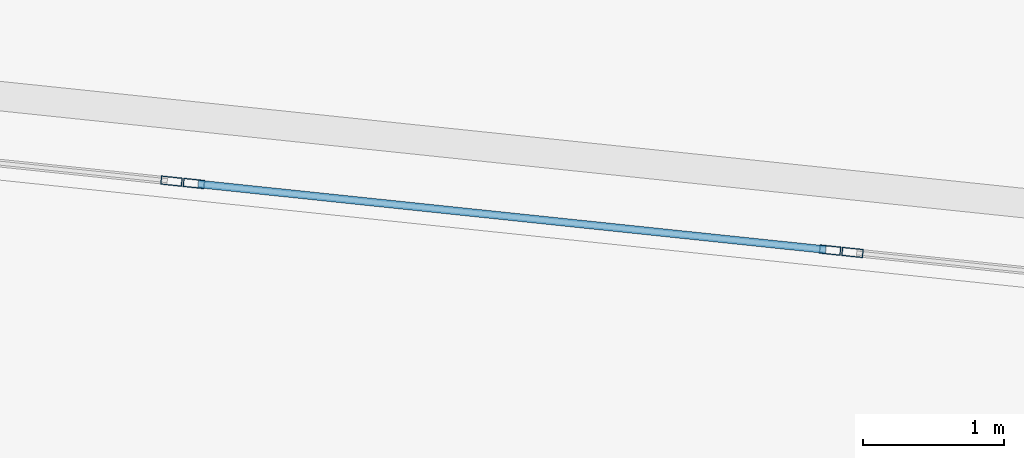
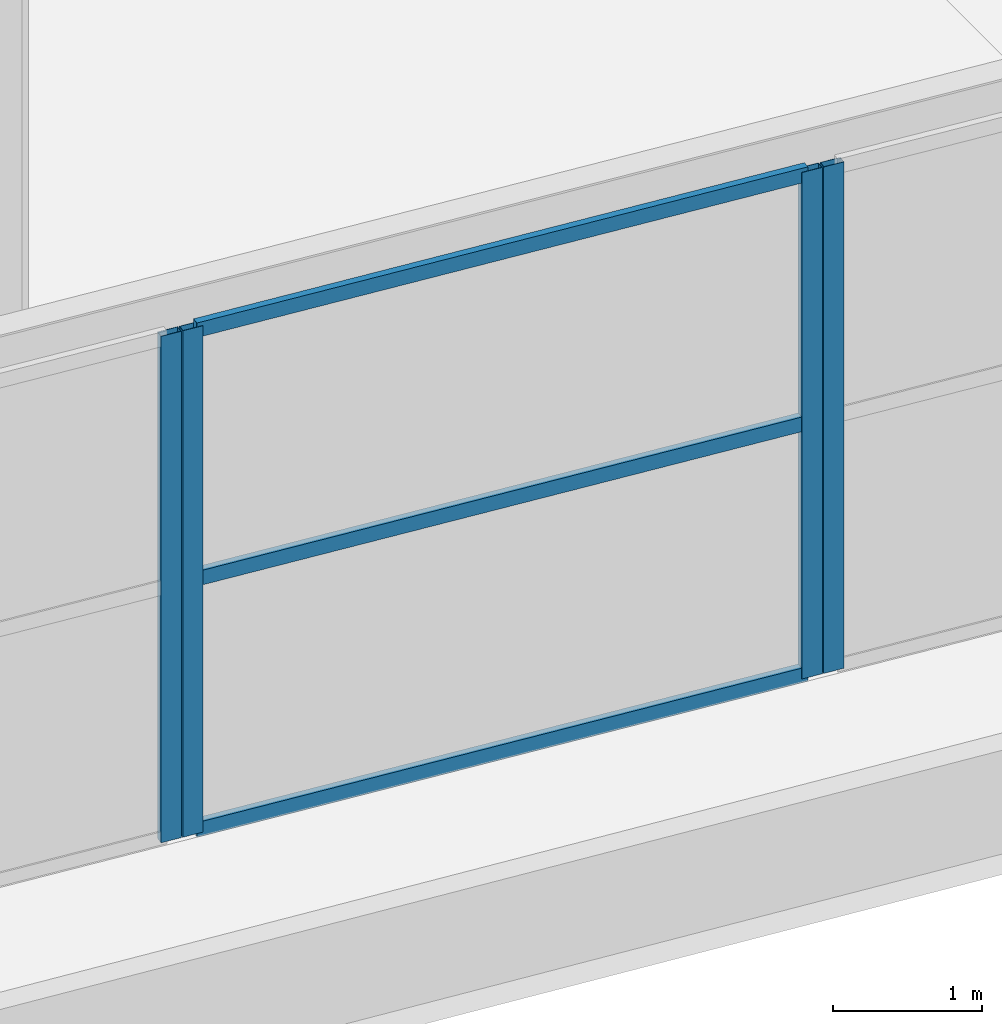
# One storey, part 35 of 126: 7 members, 3 elements without a shape of their own.
"""IFC4 building model written with IfcOpenShell, lengths in metres."""

from ifc_helpers import new_model, si_unit, direction, frame, origin, origin_2d, place, context, subcontext, project, spatial, hollow_rectangle, extrude, material, layer, layer_set, material_profile, profile_set, type_object, element, aggregate, save


model = new_model("IFC4")

# Units and contexts
model_context = context("Model", 3, precision=1e-05, world=origin(), true_north=direction((0.0, 1.0)))
body_context = subcontext(model_context, "Body", "Model", "MODEL_VIEW")
ifc_project = project(units=[si_unit("LENGTHUNIT", "METRE"), si_unit("AREAUNIT", "SQUARE_METRE"), si_unit("VOLUMEUNIT", "CUBIC_METRE"), si_unit("PLANEANGLEUNIT", "RADIAN"), si_unit("MASSUNIT", "GRAM", prefix="KILO")], contexts=[model_context])

# Site, building, storey
site_placement = place(None, origin())
site = spatial("IfcSite", under=ifc_project, at=site_placement, CompositionType="ELEMENT")
building_placement = place(site_placement, origin())
building = spatial("IfcBuilding", under=site, at=building_placement, Name="Kalgoora Escarpment Arena", CompositionType="ELEMENT")
storey_placement = place(building_placement, frame((0.0, 0.0, 18.89990234375)))
storey = spatial("IfcBuildingStorey", under=building, at=storey_placement, Name="L04", CompositionType="ELEMENT", Elevation=18.89990234375)

# Curtain wall, member
ifc_material_1 = material(Name=" Champagne anodised aluminium & double-glazed low-E", Category="aluminium")
ifc_layer_1 = layer(ifc_material_1, 0.14990234375)
ifc_layer_set_1 = layer_set([ifc_layer_1], Name="CW-UNIT-15")
curtain_wall_type_1 = type_object("IfcCurtainWallType", Name="CW-UNIT-15", PredefinedType="NOTDEFINED", material=ifc_layer_set_1)
curtain_wall_1_placement = place(storey_placement, origin())
curtain_wall_1 = element("IfcCurtainWall", 1, at=curtain_wall_1_placement, inside=storey, type_object=curtain_wall_type_1, Name="L04 unitised facade curtain wall 114", PredefinedType="NOTDEFINED")
ifc_material_2 = material(Name="Anodised aluminium 6063-T6", Category="aluminium")
ifc_material_profile_1 = material_profile(ifc_material_2, hollow_rectangle(XDim=0.06005859375, YDim=0.14990234375, WallThickness=0.00341796875, at=origin_2d()))
ifc_profile_set_1 = profile_set([ifc_material_profile_1], Name="Anodised aluminium 6063-T6")
member_type_1 = type_object("IfcMemberType", Name="MEM-CW-MULL-150", PredefinedType="MULLION", material=ifc_profile_set_1)
member_1_placement = place(storey_placement, frame((87.807373046875, 7.001708984375, 0.02001953125), z_axis=(0.0, 0.0, 1.0), x_axis=(-0.104178772797, -0.994558587162, 0.0)))
member_1 = element("IfcMember", 2, at=member_1_placement, type_object=member_type_1, Name="CW-15 mullion 2", PredefinedType="MULLION", context=body_context, shape_type="SweptSolid", body=[
    extrude(hollow_rectangle(XDim=0.06005859375, YDim=0.14990234375, WallThickness=0.00341796875, at=origin_2d()), origin(), (0.0, 0.0, 1.0), 4.150146484375),
])
aggregate(curtain_wall_1, [member_1])

# Curtain wall, members
ifc_material_3 = material(Name=" Champagne anodised aluminium & double-glazed low-E", Category="aluminium")
ifc_layer_2 = layer(ifc_material_3, 0.154052734375)
ifc_layer_set_2 = layer_set([ifc_layer_2], Name="CW-UNIT-16")
curtain_wall_type_2 = type_object("IfcCurtainWallType", Name="CW-UNIT-16", PredefinedType="NOTDEFINED", material=ifc_layer_set_2)
curtain_wall_2_placement = place(storey_placement, origin())
curtain_wall_2 = element("IfcCurtainWall", 3, at=curtain_wall_2_placement, inside=storey, type_object=curtain_wall_type_2, Name="L04 unitised facade curtain wall 115", PredefinedType="NOTDEFINED")
member_2_placement = place(storey_placement, frame((87.648193359375, 7.018310546875, 0.02001953125), z_axis=(0.0, 0.0, 1.0), x_axis=(-0.104182310405, -0.994558216596, 0.0)))
member_2 = element("IfcMember", 4, at=member_2_placement, type_object=member_type_1, Name="CW-16 mullion 1", PredefinedType="MULLION", context=body_context, shape_type="SweptSolid", body=[
    extrude(hollow_rectangle(XDim=0.06005859375, YDim=0.14990234375, WallThickness=0.00341796875, at=origin_2d()), origin(), (0.0, 0.0, 1.0), 4.150146484375),
])
member_3_placement = place(storey_placement, frame((83.122802734375, 7.492431640625, 0.02001953125), z_axis=(0.0, 0.0, 1.0), x_axis=(-0.104182310405, -0.994558216596, 0.0)))
member_3 = element("IfcMember", 5, at=member_3_placement, type_object=member_type_1, Name="CW-16 mullion 2", PredefinedType="MULLION", context=body_context, shape_type="SweptSolid", body=[
    extrude(hollow_rectangle(XDim=0.06005859375, YDim=0.14990234375, WallThickness=0.00341796875, at=origin_2d()), origin(), (0.0, 0.0, 1.0), 4.150146484375),
])

# Curtain wall, member
ifc_material_4 = material(Name=" Champagne anodised aluminium & double-glazed low-E", Category="aluminium")
ifc_layer_3 = layer(ifc_material_4, 0.157958984375)
ifc_layer_set_3 = layer_set([ifc_layer_3], Name="CW-UNIT-17")
curtain_wall_type_3 = type_object("IfcCurtainWallType", Name="CW-UNIT-17", PredefinedType="NOTDEFINED", material=ifc_layer_set_3)
curtain_wall_3_placement = place(storey_placement, origin())
curtain_wall_3 = element("IfcCurtainWall", 6, at=curtain_wall_3_placement, inside=storey, type_object=curtain_wall_type_3, Name="L04 unitised facade curtain wall 116", PredefinedType="NOTDEFINED")
member_4_placement = place(storey_placement, frame((82.963623046875, 7.509033203125, 0.02001953125), z_axis=(0.0, 0.0, 1.0), x_axis=(-0.104182310405, -0.994558216596, 0.0)))
member_4 = element("IfcMember", 7, at=member_4_placement, type_object=member_type_1, Name="CW-17 mullion 1", PredefinedType="MULLION", context=body_context, shape_type="SweptSolid", body=[
    extrude(hollow_rectangle(XDim=0.06005859375, YDim=0.14990234375, WallThickness=0.00341796875, at=origin_2d()), origin(), (0.0, 0.0, 1.0), 4.150146484375),
])
aggregate(curtain_wall_3, [member_4])

# Member
ifc_material_5 = material(Name="Anodised aluminium 6063-T6", Category="aluminium")
ifc_material_profile_2 = material_profile(ifc_material_5, hollow_rectangle(XDim=0.054931640625, YDim=0.1201171875, WallThickness=0.003173828125, at=origin_2d()))
ifc_profile_set_2 = profile_set([ifc_material_profile_2], Name="Anodised aluminium 6063-T6")
member_type_2 = type_object("IfcMemberType", Name="MEM-CW-TRAN-120", PredefinedType="USERDEFINED", material=ifc_profile_set_2)
member_5_placement = place(storey_placement, frame((87.618408203125, 7.021484375, 0.047607421875), z_axis=(-0.994558948875, 0.104175319596, 0.0), x_axis=(-0.104175319596, -0.994558948875, 0.0)))
member_5 = element("IfcMember", 8, at=member_5_placement, type_object=member_type_2, Name="CW-16 transom 1.1", ObjectType="TRANSOM", PredefinedType="USERDEFINED", context=body_context, shape_type="SweptSolid", body=[
    extrude(hollow_rectangle(XDim=0.054931640625, YDim=0.1201171875, WallThickness=0.003173828125, at=origin_2d()), origin(), (0.0, 0.0, 1.0), 4.490234375),
])

member_6_placement = place(storey_placement, frame((87.618408203125, 7.021484375, 2.10498046875), z_axis=(-0.994558948875, 0.104175319596, 0.0), x_axis=(-0.104175319596, -0.994558948875, 0.0)))
member_6 = element("IfcMember", 9, at=member_6_placement, type_object=member_type_2, Name="CW-16 transom 1.2", ObjectType="TRANSOM", PredefinedType="USERDEFINED", context=body_context, shape_type="SweptSolid", body=[
    extrude(hollow_rectangle(XDim=0.054931640625, YDim=0.1201171875, WallThickness=0.003173828125, at=origin_2d()), origin(), (0.0, 0.0, 1.0), 4.490234375),
])

member_7_placement = place(storey_placement, frame((87.618408203125, 7.021484375, 4.142578125), z_axis=(-0.994558948875, 0.104175319596, 0.0), x_axis=(-0.104175319596, -0.994558948875, 0.0)))
member_7 = element("IfcMember", 10, at=member_7_placement, type_object=member_type_2, Name="CW-16 transom 1.3", ObjectType="TRANSOM", PredefinedType="USERDEFINED", context=body_context, shape_type="SweptSolid", body=[
    extrude(hollow_rectangle(XDim=0.054931640625, YDim=0.1201171875, WallThickness=0.003173828125, at=origin_2d()), origin(), (0.0, 0.0, 1.0), 4.490234375),
])

aggregate(curtain_wall_2, [member_2, member_3, member_5, member_6, member_7])

save(model, "model.ifc")
